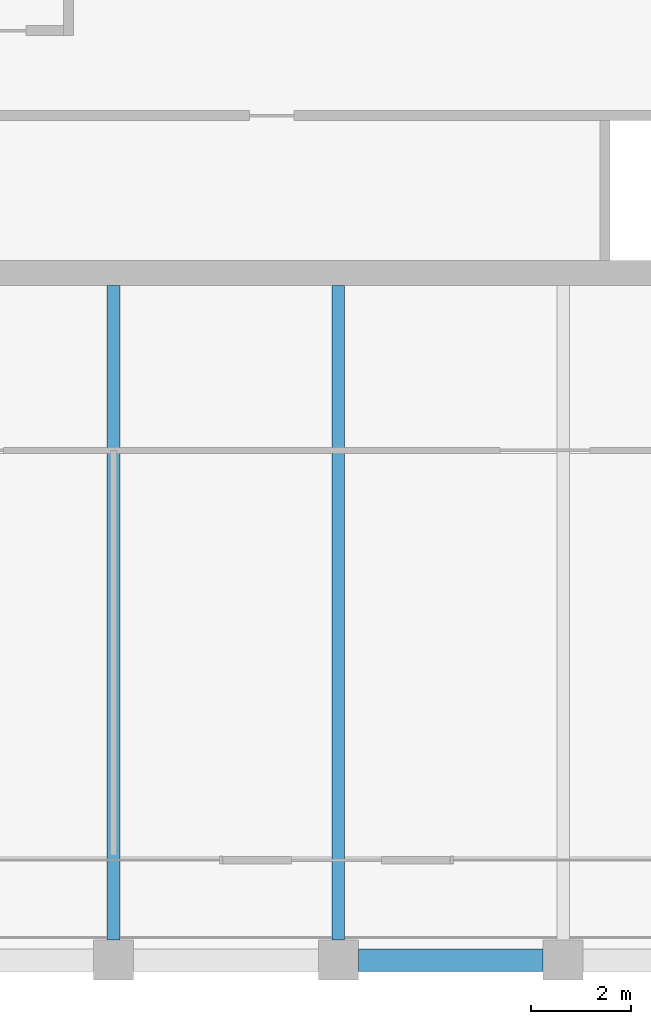
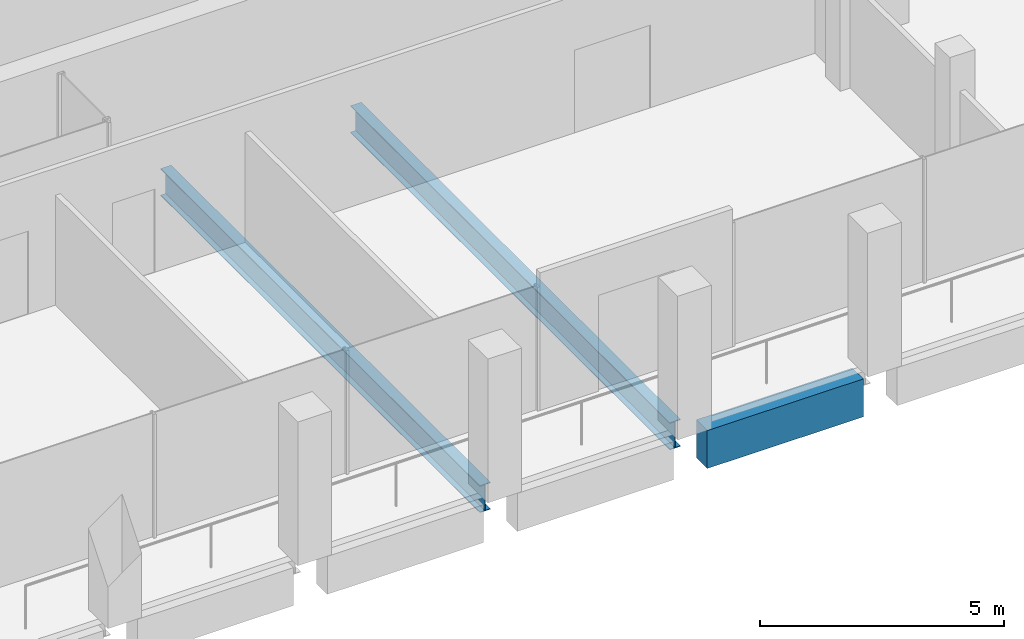
# One storey, part 8 of 30: 3 beams.
"""IFC4 building model written with IfcOpenShell, lengths in metres."""

from ifc_helpers import new_model, si_unit, direction, frame, origin, origin_2d, place, context, subcontext, project, spatial, rectangle, i_section, extrude, material, material_profile, profile_set, type_object, element, save


model = new_model("IFC4")

# Units and contexts
model_context = context("Model", 3, precision=1e-05, world=origin(), true_north=direction((0.0, 1.0)))
body_context = subcontext(model_context, "Body", "Model", "MODEL_VIEW")
ifc_project = project(units=[si_unit("LENGTHUNIT", "METRE"), si_unit("AREAUNIT", "SQUARE_METRE"), si_unit("VOLUMEUNIT", "CUBIC_METRE"), si_unit("PLANEANGLEUNIT", "RADIAN"), si_unit("MASSUNIT", "GRAM", prefix="KILO")], contexts=[model_context])

# Site, building, storey
site_placement = place(None, origin())
site = spatial("IfcSite", under=ifc_project, at=site_placement, CompositionType="ELEMENT")
building_placement = place(site_placement, origin())
building = spatial("IfcBuilding", under=site, at=building_placement, Name="Altepetl Exchange Towers", CompositionType="ELEMENT")
storey_placement = place(building_placement, frame((0.0, 0.0, 228.0)))
storey = spatial("IfcBuildingStorey", under=building, at=storey_placement, Name="L58", CompositionType="ELEMENT", Elevation=228.0)

# Beams
ifc_material_1 = material(Name="Steel S355", Category="steel")
ifc_material_profile_1 = material_profile(ifc_material_1, i_section(OverallWidth=0.2529296875, OverallDepth=0.677978515625, WebThickness=0.01171875, FlangeThickness=0.016357421875, at=origin_2d()), Name="W27X84")
ifc_profile_set_1 = profile_set([ifc_material_profile_1], Name="Steel S355")
beam_type_1 = type_object("IfcBeamType", Name="Floor beam W27X84", PredefinedType="BEAM", material=ifc_profile_set_1)
for number, where, z_axis, x_axis, name in (
    (1, (45.0, 27.39990234375, -0.489013671875), (0.0, 1.0, 0.0), (-1.0, 0.0, 0.0), "bm:A:L58:015"),
    (2, (49.5, 27.39990234375, -0.489013671875), (0.0, 1.0, 0.0), (-1.0, 0.0, 0.0), "bm:A:L58:016"),
):
    element("IfcBeam", number, at=place(storey_placement, frame(where, z_axis=z_axis, x_axis=x_axis)), inside=storey, type_object=beam_type_1, Name=name, PredefinedType="BEAM", context=body_context, shape_type="SweptSolid", body=[
        extrude(i_section(OverallWidth=0.2529296875, OverallDepth=0.677978515625, WebThickness=0.01171875, FlangeThickness=0.016357421875, at=origin_2d()), origin(), (0.0, 0.0, 1.0), 13.10009765625),
    ])
ifc_material_2 = material(Name="Concrete C50/60 precast with cantera blanca facing", Category="concrete")
ifc_material_profile_2 = material_profile(ifc_material_2, rectangle(XDim=0.449951171875, YDim=0.949951171875, at=origin_2d()), Name="450 x 950")
ifc_profile_set_2 = profile_set([ifc_material_profile_2], Name="Concrete C50/60 precast with cantera blanca facing")
beam_type_2 = type_object("IfcBeamType", Name="Spandrel beam 450x950 cantera blanca", PredefinedType="SPANDREL", material=ifc_profile_set_2)
beam_placement = place(storey_placement, frame((49.89990234375, 27.0, -0.625), z_axis=(1.0, 0.0, 0.0), x_axis=(0.0, 1.0, 0.0)))
element("IfcBeam", 3, at=beam_placement, inside=storey, type_object=beam_type_2, Name="sp:A:L58:004", PredefinedType="SPANDREL", context=body_context, shape_type="SweptSolid", body=[
    extrude(rectangle(XDim=0.449951171875, YDim=0.949951171875, at=origin_2d()), origin(), (0.0, 0.0, 1.0), 3.7001953125),
])

save(model, "model.ifc")
